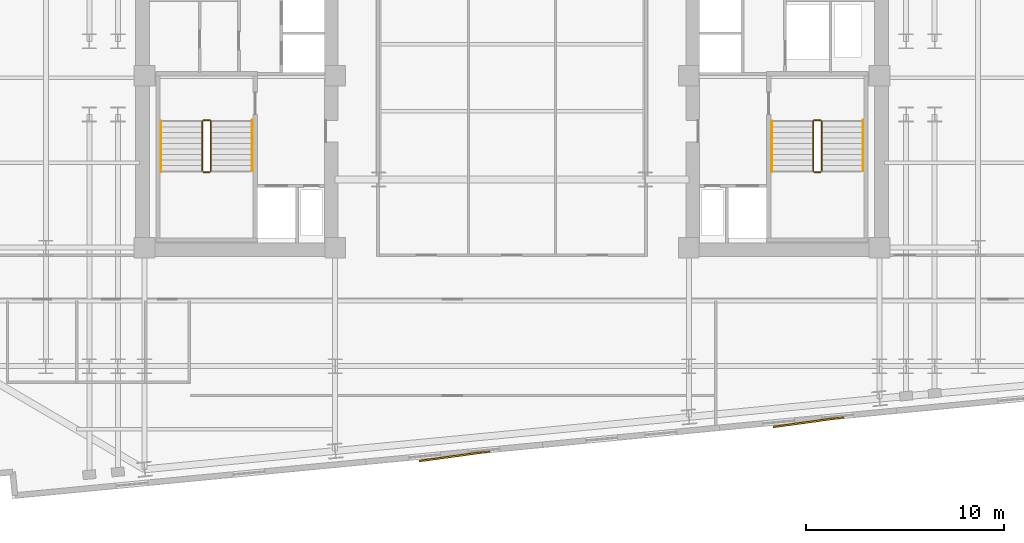
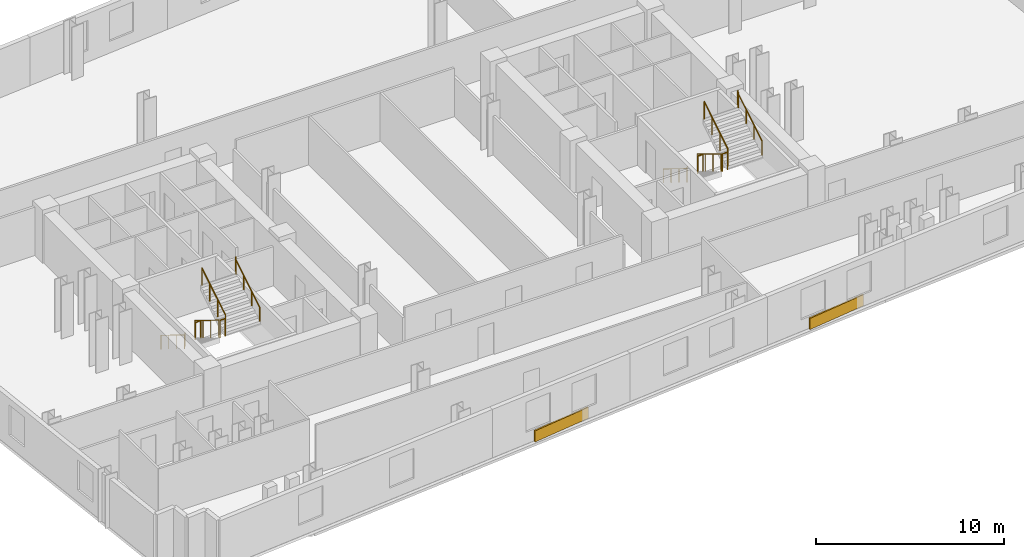
# One storey, part 9 of 10: 12 railings, 2 coverings.
"""IFC4 building model written with IfcOpenShell, lengths in metres."""

import ifcopenshell
import ifcopenshell.guid

model = None  # the IFC model being written
_history = None  # IfcOwnerHistory: only IFC2X3 demands one
_inside = {}  # id of a spatial element -> (the spatial element, [elements in it])
_under = {}  # id of a project, library or spatial element -> (it, [spatial elements below it])
_declared = {}  # id of a project -> (the project, [libraries it declares])
_typed = {}  # id of a type object -> (the type object, [elements of that type])
_made_of = {}  # id of a material, layer set ... -> (it, [elements and type objects made of it])


def new_model(schema):
    """Start an empty IFC model of exactly this schema.

    Asked for "IFC4X3", IfcOpenShell would pick the latest addendum, in which some entities
    have other attributes; the version numbers below select the first issue.
    IFC2X3 requires an IfcOwnerHistory on every rooted entity: one is made here for all.
    """
    global model, _history
    if schema == "IFC4X3":
        model = ifcopenshell.file(schema_version=(4, 3, 0, 0))
    else:
        model = ifcopenshell.file(schema=schema)
    _inside.clear()
    _under.clear()
    _declared.clear()
    _typed.clear()
    _made_of.clear()
    _history = None
    if model.schema == "IFC2X3":
        org = make("IfcOrganization", Name="unknown")
        user = make(
            "IfcPersonAndOrganization",
            ThePerson=make("IfcPerson", FamilyName="unknown"),
            TheOrganization=org,
        )
        app = make(
            "IfcApplication",
            ApplicationDeveloper=org,
            Version="unknown",
            ApplicationFullName="unknown",
            ApplicationIdentifier="unknown",
        )
        _history = make(
            "IfcOwnerHistory",
            OwningUser=user,
            OwningApplication=app,
            ChangeAction="ADDED",
            CreationDate=0,
        )
    return model


def make(cls, **values):
    """One entity of the class cls with the attributes given. An attribute that is None is left unset."""
    return model.create_entity(
        cls, **{name: value for name, value in values.items() if value is not None}
    )


def rooted(cls, **values):
    """An entity with a GlobalId (a new one), such as an element, a storey or a relation."""
    return make(cls, GlobalId=ifcopenshell.guid.new(), OwnerHistory=_history, **values)


def si_unit(unit_type, name, prefix=None):
    """IfcSIUnit, for example si_unit("LENGTHUNIT", "METRE", prefix="MILLI")."""
    return make("IfcSIUnit", UnitType=unit_type, Prefix=prefix, Name=name)


def assignment(units):
    """IfcUnitAssignment: the units of a project."""
    return None if units is None else make("IfcUnitAssignment", Units=units)


def point(xyz):
    """IfcCartesianPoint."""
    return None if xyz is None else make("IfcCartesianPoint", Coordinates=xyz)


def direction(xyz):
    """IfcDirection."""
    return None if xyz is None else make("IfcDirection", DirectionRatios=xyz)


def frame(location, z_axis=None, x_axis=None):
    """IfcAxis2Placement3D, a coordinate frame: its origin and axes. An axis left out is left unset."""
    return make(
        "IfcAxis2Placement3D",
        Location=point(location),
        Axis=direction(z_axis),
        RefDirection=direction(x_axis),
    )


def frame_2d(location, x_axis=None):
    """IfcAxis2Placement2D, a coordinate frame in the plane: its origin and x axis."""
    return make(
        "IfcAxis2Placement2D", Location=point(location), RefDirection=direction(x_axis)
    )


def origin():
    """The frame at (0, 0, 0) with its axes left unset."""
    return frame((0.0, 0.0, 0.0))


def origin_2d():
    """The frame at (0, 0) in the plane with its x axis left unset."""
    return frame_2d((0.0, 0.0))


def place(relative_to, where):
    """IfcLocalPlacement: puts the frame where relative to a parent placement (None: the world)."""
    return make(
        "IfcLocalPlacement", PlacementRelTo=relative_to, RelativePlacement=where
    )


def context(
    kind, dimensions, precision=None, world=None, true_north=None, identifier=None
):
    """IfcGeometricRepresentationContext, for example the 3D "Model" context."""
    return make(
        "IfcGeometricRepresentationContext",
        ContextIdentifier=identifier,
        ContextType=kind,
        CoordinateSpaceDimension=dimensions,
        Precision=precision,
        WorldCoordinateSystem=world,
        TrueNorth=true_north,
    )


def subcontext(parent, identifier, kind, view, scale=None):
    """IfcGeometricRepresentationSubContext, for example "Body" below "Model"."""
    return make(
        "IfcGeometricRepresentationSubContext",
        ContextIdentifier=identifier,
        ContextType=kind,
        ParentContext=parent,
        TargetScale=scale,
        TargetView=view,
    )


def project(units=None, contexts=None):
    """IfcProject with its units and contexts."""
    return rooted(
        "IfcProject",
        Name="project",
        RepresentationContexts=contexts,
        UnitsInContext=assignment(units),
    )


def spatial(cls, under=None, at=None, **own):
    """A site, building, storey or space (cls), placed at a placement, below another one or the project."""
    s = rooted(cls, ObjectPlacement=at, **own)
    if under is not None:
        _under.setdefault(under.id(), (under, []))[1].append(s)
    return s


def profile(cls, at=None, kind="AREA", **sizes):
    """A parametric profile (cls). Its sizes go by their IFC names, for example OverallWidth=200.0."""
    return make(cls, ProfileType=kind, Position=at, **sizes)


def rectangle(**sizes):
    """IfcRectangleProfileDef."""
    return profile("IfcRectangleProfileDef", **sizes)


def circle(**sizes):
    """IfcCircleProfileDef."""
    return profile("IfcCircleProfileDef", **sizes)


def extrude(swept, where, along, depth):
    """IfcExtrudedAreaSolid: the profile swept, set in the frame where, extruded along a direction by depth."""
    return make(
        "IfcExtrudedAreaSolid",
        SweptArea=swept,
        Position=where,
        ExtrudedDirection=direction(along),
        Depth=depth,
    )


def shape(context_of_items, identifier, shape_type, items):
    """IfcShapeRepresentation: the items that make up one representation, for example the "Body"."""
    return make(
        "IfcShapeRepresentation",
        ContextOfItems=context_of_items,
        RepresentationIdentifier=identifier,
        RepresentationType=shape_type,
        Items=items,
    )


def material(Name=None, Category=None):
    """IfcMaterial."""
    return make("IfcMaterial", Name=Name, Category=Category)


def layer(
    of_material, thickness, ventilated=None, Name=None, Category=None, Priority=None
):
    """IfcMaterialLayer: one layer of a wall or slab, of a material (None: an air gap)."""
    return make(
        "IfcMaterialLayer",
        Material=of_material,
        LayerThickness=thickness,
        IsVentilated=ventilated,
        Name=Name,
        Category=Category,
        Priority=Priority,
    )


def layer_set(layers, Name=None):
    """IfcMaterialLayerSet."""
    return make("IfcMaterialLayerSet", MaterialLayers=layers, LayerSetName=Name)


def made_of(thing, what):
    """Note that an element or type object is made of a material, layer set ...; save() writes the relation."""
    if what is not None:
        _made_of.setdefault(what.id(), (what, []))[1].append(thing)
    return thing


def type_object(cls, material=None, **own):
    """A type object (cls), such as IfcWallType, which elements share."""
    return made_of(rooted(cls, **own), material)


def element(
    cls,
    number,
    at=None,
    inside=None,
    cuts=None,
    type_object=None,
    material=None,
    context=None,
    identifier="Body",
    shape_type=None,
    held_by="IfcProductDefinitionShape",
    body=None,
    shapes=None,
    **own,
):
    """One element of the class cls, such as IfcWall. Its Tag is "e" and its number.

    at: its placement. inside: the storey or other place that contains it. cuts: it is an
    opening in that element (IfcRelVoidsElement). A single representation is given by context,
    identifier, shape_type and body (its items); several are given by shapes. held_by: the class
    of the entity that holds the representations. save() writes the other relations.
    """
    e = rooted(cls, Tag="e%d" % number, ObjectPlacement=at, **own)
    if body is not None:
        shapes = [shape(context, identifier, shape_type, body)]
    if shapes is not None:
        e.Representation = make(held_by, Representations=shapes)
    if inside is not None:
        _inside.setdefault(inside.id(), (inside, []))[1].append(e)
    if cuts is not None:
        rooted(
            "IfcRelVoidsElement", RelatingBuildingElement=cuts, RelatedOpeningElement=e
        )
    if type_object is not None:
        _typed.setdefault(type_object.id(), (type_object, []))[1].append(e)
    return made_of(e, material)


def aggregate(whole, parts):
    """IfcRelAggregates: a whole, such as a stair, and the parts it consists of."""
    return rooted("IfcRelAggregates", RelatingObject=whole, RelatedObjects=parts)


def save(model, path):
    """Write the relations noted so far, then the file.

    IfcRelAggregates (storeys below a building ...), IfcRelContainedInSpatialStructure (elements
    in a storey), IfcRelDefinesByType, IfcRelAssociatesMaterial and IfcRelDeclares: one each for
    every whole, place, type object, material and project.
    """
    for whole, parts in _under.values():
        aggregate(whole, parts)
    for where, things in _inside.values():
        rooted(
            "IfcRelContainedInSpatialStructure",
            RelatedElements=things,
            RelatingStructure=where,
        )
    for kind, things in _typed.values():
        rooted("IfcRelDefinesByType", RelatedObjects=things, RelatingType=kind)
    for what, things in _made_of.values():
        rooted("IfcRelAssociatesMaterial", RelatedObjects=things, RelatingMaterial=what)
    for by, libraries in _declared.values():
        rooted("IfcRelDeclares", RelatingContext=by, RelatedDefinitions=libraries)
    model.write(path)


model = new_model("IFC4")

# Units and contexts
model_context = context("Model", 3, precision=1e-05, world=origin(), true_north=direction((0.0, 1.0)))
body_context = subcontext(model_context, "Body", "Model", "MODEL_VIEW")
ifc_project = project(units=[si_unit("LENGTHUNIT", "METRE"), si_unit("AREAUNIT", "SQUARE_METRE"), si_unit("VOLUMEUNIT", "CUBIC_METRE"), si_unit("PLANEANGLEUNIT", "RADIAN"), si_unit("MASSUNIT", "GRAM", prefix="KILO")], contexts=[model_context])

# Site, building, storey
site_placement = place(None, origin())
site = spatial("IfcSite", under=ifc_project, at=site_placement, CompositionType="ELEMENT")
building_placement = place(site_placement, origin())
building = spatial("IfcBuilding", under=site, at=building_placement, Name="Velakula Bourse", CompositionType="ELEMENT")
storey_placement = place(building_placement, frame((0.0, 0.0, 108.699951171875)))
storey = spatial("IfcBuildingStorey", under=building, at=storey_placement, Name="L29", CompositionType="ELEMENT", Elevation=108.699951171875)

# Coverings
ifc_material_1 = material(Name="Buff kilned clay facing brick masonry", Category="masonry")
ifc_layer = layer(ifc_material_1, 0.074951171875, Name="Buff kilned clay facing brick masonry", Category="masonry")
ifc_layer_set = layer_set([ifc_layer], Name="Buff kilned clay facing brick masonry")
covering_type = type_object("IfcCoveringType", Name="COV-BRK-SPN-75", PredefinedType="CLADDING", material=ifc_layer_set)
for number, where, z_axis, x_axis, name in (
    (1, (-2.908447265625, -19.154052734375, 0.0), (0.0, 0.0, 1.0), (0.990629029058, 0.136580111242, 0.0), "L29 Folded Brick Facade Cladding Panel S-B2"),
    (2, (15.0087890625, -17.428955078125, 0.0), (0.0, 0.0, 1.0), (0.990629029058, 0.136580111242, 0.0), "L29 Folded Brick Facade Cladding Panel S-B4"),
):
    element("IfcCovering", number, at=place(storey_placement, frame(where, z_axis=z_axis, x_axis=x_axis)), inside=storey, type_object=covering_type, Name=name, PredefinedType="CLADDING", context=body_context, shape_type="SweptSolid", body=[
        extrude(rectangle(XDim=3.60009765625, YDim=0.090087890625, at=origin_2d()), origin(), (0.0, 0.0, 1.0), 0.719970703125),
    ])

# Railings
ifc_material_2 = material(Name="Brushed grade 316 stainless steel", Category="steel")
railing_type_1 = type_object("IfcRailingType", Name="RLG-STAIR-GUARD-1150", PredefinedType="BALUSTRADE", material=ifc_material_2)
railing_1_placement = place(storey_placement, frame((-15.672119140625, -2.199951171875, 0.172607421875)))
element("IfcRailing", 3, at=railing_1_placement, inside=storey, type_object=railing_type_1, Name="L29 ST-W1 stair guard 1", PredefinedType="BALUSTRADE", context=body_context, shape_type="SweptSolid", body=[
    extrude(circle(Radius=0.02490234375, at=origin_2d()), frame((0.0, 0.0, 1.125), z_axis=(0.0, -0.851400495292, 0.524516154772), x_axis=(1.0, 0.0, 0.0)), (0.0, 0.0, 1.0), 2.9599609375),
    extrude(circle(Radius=0.02099609375, at=origin_2d()), origin(), (0.0, 0.0, 1.0), 1.099853515625),
    extrude(circle(Radius=0.02099609375, at=origin_2d()), frame((0.0, -0.840087890625, 0.517578125)), (0.0, 0.0, 1.0), 1.099853515625),
    extrude(circle(Radius=0.02099609375, at=origin_2d()), frame((0.0, -1.679931640625, 1.034912109375)), (0.0, 0.0, 1.0), 1.099853515625),
    extrude(circle(Radius=0.02099609375, at=origin_2d()), frame((0.0, -2.52001953125, 1.552490234375)), (0.0, 0.0, 1.0), 1.099853515625),
])
railing_2_placement = place(storey_placement, frame((-15.6220703125, -4.77001953125, 1.72509765625)))
element("IfcRailing", 4, at=railing_2_placement, inside=storey, type_object=railing_type_1, Name="L29 ST-W1 stair guard 2", PredefinedType="BALUSTRADE", context=body_context, shape_type="SweptSolid", body=[
    extrude(circle(Radius=0.02490234375, at=origin_2d()), frame((0.0, 0.0, 1.125), z_axis=(1.0, 0.0, 0.0), x_axis=(0.0, 1.0, 0.0)), (0.0, 0.0, 1.0), 0.323974609375),
    extrude(circle(Radius=0.02099609375, at=origin_2d()), origin(), (0.0, 0.0, 1.0), 1.099853515625),
    extrude(circle(Radius=0.02099609375, at=origin_2d()), frame((0.323974609375, 0.0, 0.0)), (0.0, 0.0, 1.0), 1.099853515625),
])
railing_3_placement = place(storey_placement, frame((-15.248046875, -4.719970703125, 1.8974609375)))
element("IfcRailing", 5, at=railing_3_placement, inside=storey, type_object=railing_type_1, Name="L29 ST-W1 stair guard 3", PredefinedType="BALUSTRADE", context=body_context, shape_type="SweptSolid", body=[
    extrude(circle(Radius=0.02490234375, at=origin_2d()), frame((0.0, 0.0, 1.125), z_axis=(0.0, 0.851400495292, 0.524516154772), x_axis=(-1.0, 0.0, 0.0)), (0.0, 0.0, 1.0), 2.9599609375),
    extrude(circle(Radius=0.02099609375, at=origin_2d()), origin(), (0.0, 0.0, 1.0), 1.099853515625),
    extrude(circle(Radius=0.02099609375, at=origin_2d()), frame((0.0, 0.840087890625, 0.517578125)), (0.0, 0.0, 1.0), 1.099853515625),
    extrude(circle(Radius=0.02099609375, at=origin_2d()), frame((0.0, 1.679931640625, 1.034912109375)), (0.0, 0.0, 1.0), 1.099853515625),
    extrude(circle(Radius=0.02099609375, at=origin_2d()), frame((0.0, 2.52001953125, 1.552490234375)), (0.0, 0.0, 1.0), 1.099853515625),
])
railing_4_placement = place(storey_placement, frame((-15.6220703125, -2.14990234375, 0.0)))
element("IfcRailing", 6, at=railing_4_placement, inside=storey, type_object=railing_type_1, Name="L29 ST-W1 stair guard 4", PredefinedType="BALUSTRADE", context=body_context, shape_type="SweptSolid", body=[
    extrude(circle(Radius=0.02490234375, at=origin_2d()), frame((0.0, 0.0, 1.125), z_axis=(1.0, 0.0, 0.0), x_axis=(0.0, 1.0, 0.0)), (0.0, 0.0, 1.0), 0.323974609375),
    extrude(circle(Radius=0.02099609375, at=origin_2d()), origin(), (0.0, 0.0, 1.0), 1.099853515625),
    extrude(circle(Radius=0.02099609375, at=origin_2d()), frame((0.323974609375, 0.0, 0.0)), (0.0, 0.0, 1.0), 1.099853515625),
])
railing_5_placement = place(storey_placement, frame((15.248046875, -2.199951171875, 0.172607421875)))
element("IfcRailing", 7, at=railing_5_placement, inside=storey, type_object=railing_type_1, Name="L29 ST-E1 stair guard 1", PredefinedType="BALUSTRADE", context=body_context, shape_type="SweptSolid", body=[
    extrude(circle(Radius=0.02490234375, at=origin_2d()), frame((0.0, 0.0, 1.125), z_axis=(0.0, -0.851400495292, 0.524516154772), x_axis=(1.0, 0.0, 0.0)), (0.0, 0.0, 1.0), 2.9599609375),
    extrude(circle(Radius=0.02099609375, at=origin_2d()), origin(), (0.0, 0.0, 1.0), 1.099853515625),
    extrude(circle(Radius=0.02099609375, at=origin_2d()), frame((0.0, -0.840087890625, 0.517578125)), (0.0, 0.0, 1.0), 1.099853515625),
    extrude(circle(Radius=0.02099609375, at=origin_2d()), frame((0.0, -1.679931640625, 1.034912109375)), (0.0, 0.0, 1.0), 1.099853515625),
    extrude(circle(Radius=0.02099609375, at=origin_2d()), frame((0.0, -2.52001953125, 1.552490234375)), (0.0, 0.0, 1.0), 1.099853515625),
])
railing_6_placement = place(storey_placement, frame((15.298095703125, -4.77001953125, 1.72509765625)))
element("IfcRailing", 8, at=railing_6_placement, inside=storey, type_object=railing_type_1, Name="L29 ST-E1 stair guard 2", PredefinedType="BALUSTRADE", context=body_context, shape_type="SweptSolid", body=[
    extrude(circle(Radius=0.02490234375, at=origin_2d()), frame((0.0, 0.0, 1.125), z_axis=(1.0, 0.0, 0.0), x_axis=(0.0, 1.0, 0.0)), (0.0, 0.0, 1.0), 0.323974609375),
    extrude(circle(Radius=0.02099609375, at=origin_2d()), origin(), (0.0, 0.0, 1.0), 1.099853515625),
    extrude(circle(Radius=0.02099609375, at=origin_2d()), frame((0.323974609375, 0.0, 0.0)), (0.0, 0.0, 1.0), 1.099853515625),
])
railing_7_placement = place(storey_placement, frame((15.672119140625, -4.719970703125, 1.8974609375)))
element("IfcRailing", 9, at=railing_7_placement, inside=storey, type_object=railing_type_1, Name="L29 ST-E1 stair guard 3", PredefinedType="BALUSTRADE", context=body_context, shape_type="SweptSolid", body=[
    extrude(circle(Radius=0.02490234375, at=origin_2d()), frame((0.0, 0.0, 1.125), z_axis=(0.0, 0.851400495292, 0.524516154772), x_axis=(-1.0, 0.0, 0.0)), (0.0, 0.0, 1.0), 2.9599609375),
    extrude(circle(Radius=0.02099609375, at=origin_2d()), origin(), (0.0, 0.0, 1.0), 1.099853515625),
    extrude(circle(Radius=0.02099609375, at=origin_2d()), frame((0.0, 0.840087890625, 0.517578125)), (0.0, 0.0, 1.0), 1.099853515625),
    extrude(circle(Radius=0.02099609375, at=origin_2d()), frame((0.0, 1.679931640625, 1.034912109375)), (0.0, 0.0, 1.0), 1.099853515625),
    extrude(circle(Radius=0.02099609375, at=origin_2d()), frame((0.0, 2.52001953125, 1.552490234375)), (0.0, 0.0, 1.0), 1.099853515625),
])
railing_8_placement = place(storey_placement, frame((15.298095703125, -2.14990234375, 0.0)))
element("IfcRailing", 10, at=railing_8_placement, inside=storey, type_object=railing_type_1, Name="L29 ST-E1 stair guard 4", PredefinedType="BALUSTRADE", context=body_context, shape_type="SweptSolid", body=[
    extrude(circle(Radius=0.02490234375, at=origin_2d()), frame((0.0, 0.0, 1.125), z_axis=(1.0, 0.0, 0.0), x_axis=(0.0, 1.0, 0.0)), (0.0, 0.0, 1.0), 0.323974609375),
    extrude(circle(Radius=0.02099609375, at=origin_2d()), origin(), (0.0, 0.0, 1.0), 1.099853515625),
    extrude(circle(Radius=0.02099609375, at=origin_2d()), frame((0.323974609375, 0.0, 0.0)), (0.0, 0.0, 1.0), 1.099853515625),
])
railing_type_2 = type_object("IfcRailingType", Name="RLG-STAIR-HAND-920", PredefinedType="HANDRAIL", material=ifc_material_2)
railing_9_placement = place(storey_placement, frame((-17.77001953125, -2.199951171875, 0.172607421875)))
element("IfcRailing", 11, at=railing_9_placement, inside=storey, type_object=railing_type_2, Name="L29 ST-W1 stair handrail 1", PredefinedType="HANDRAIL", context=body_context, shape_type="SweptSolid", body=[
    extrude(circle(Radius=0.02099609375, at=origin_2d()), frame((0.0, 0.0, 0.89892578125), z_axis=(0.0, -0.851400495292, 0.524516154772), x_axis=(1.0, 0.0, 0.0)), (0.0, 0.0, 1.0), 2.9599609375),
    extrude(circle(Radius=0.02099609375, at=origin_2d()), frame((0.0, -2.52001953125, 2.451416015625), z_axis=(0.0, -0.226269970362, 0.974064628509), x_axis=(1.0, 0.0, 0.0)), (0.0, 0.0, 1.0), 0.177001953125),
    extrude(circle(Radius=0.02099609375, at=origin_2d()), frame((0.0, -2.56005859375, 2.623779296875), z_axis=(0.0, -1.0, 0.0), x_axis=(1.0, 0.0, 0.0)), (0.0, 0.0, 1.0), 0.0048828125),
    extrude(circle(Radius=0.02099609375, at=origin_2d()), origin(), (0.0, 0.0, 1.0), 0.8779296875),
    extrude(circle(Radius=0.02099609375, at=origin_2d()), frame((0.0, -0.840087890625, 0.517578125)), (0.0, 0.0, 1.0), 0.8779296875),
    extrude(circle(Radius=0.02099609375, at=origin_2d()), frame((0.0, -1.679931640625, 1.034912109375)), (0.0, 0.0, 1.0), 0.8779296875),
    extrude(circle(Radius=0.02099609375, at=origin_2d()), frame((0.0, -2.52001953125, 1.552490234375)), (0.0, 0.0, 1.0), 0.8779296875),
    extrude(circle(Radius=0.02099609375, at=origin_2d()), frame((0.0, -2.56005859375, 1.724853515625)), (0.0, 0.0, 1.0), 0.8779296875),
    extrude(circle(Radius=0.02099609375, at=origin_2d()), frame((0.0, -2.56494140625, 1.724853515625)), (0.0, 0.0, 1.0), 0.8779296875),
])
railing_10_placement = place(storey_placement, frame((-13.14990234375, -4.719970703125, 1.8974609375)))
element("IfcRailing", 12, at=railing_10_placement, inside=storey, type_object=railing_type_2, Name="L29 ST-W1 stair handrail 2", PredefinedType="HANDRAIL", context=body_context, shape_type="SweptSolid", body=[
    extrude(circle(Radius=0.02099609375, at=origin_2d()), frame((0.0, 0.0, 0.89892578125), z_axis=(0.0, 0.851400495292, 0.524516154772), x_axis=(-1.0, 0.0, 0.0)), (0.0, 0.0, 1.0), 2.9599609375),
    extrude(circle(Radius=0.02099609375, at=origin_2d()), frame((0.0, 2.52001953125, 2.451416015625), z_axis=(0.0, 0.22596628056, 0.974135124123), x_axis=(-1.0, 0.0, 0.0)), (0.0, 0.0, 1.0), 0.17724609375),
    extrude(circle(Radius=0.02099609375, at=origin_2d()), frame((0.0, 2.56005859375, 2.6240234375), z_axis=(0.0, 1.0, 0.0), x_axis=(-1.0, 0.0, 0.0)), (0.0, 0.0, 1.0), 0.0048828125),
    extrude(circle(Radius=0.02099609375, at=origin_2d()), origin(), (0.0, 0.0, 1.0), 0.8779296875),
    extrude(circle(Radius=0.02099609375, at=origin_2d()), frame((0.0, 0.840087890625, 0.517578125)), (0.0, 0.0, 1.0), 0.8779296875),
    extrude(circle(Radius=0.02099609375, at=origin_2d()), frame((0.0, 1.679931640625, 1.034912109375)), (0.0, 0.0, 1.0), 0.8779296875),
    extrude(circle(Radius=0.02099609375, at=origin_2d()), frame((0.0, 2.52001953125, 1.552490234375)), (0.0, 0.0, 1.0), 0.8779296875),
    extrude(circle(Radius=0.02099609375, at=origin_2d()), frame((0.0, 2.56005859375, 1.72509765625)), (0.0, 0.0, 1.0), 0.8779296875),
    extrude(circle(Radius=0.02099609375, at=origin_2d()), frame((0.0, 2.56494140625, 1.72509765625)), (0.0, 0.0, 1.0), 0.8779296875),
])
railing_11_placement = place(storey_placement, frame((13.14990234375, -2.199951171875, 0.172607421875)))
element("IfcRailing", 13, at=railing_11_placement, inside=storey, type_object=railing_type_2, Name="L29 ST-E1 stair handrail 1", PredefinedType="HANDRAIL", context=body_context, shape_type="SweptSolid", body=[
    extrude(circle(Radius=0.02099609375, at=origin_2d()), frame((0.0, 0.0, 0.89892578125), z_axis=(0.0, -0.851400495292, 0.524516154772), x_axis=(1.0, 0.0, 0.0)), (0.0, 0.0, 1.0), 2.9599609375),
    extrude(circle(Radius=0.02099609375, at=origin_2d()), frame((0.0, -2.52001953125, 2.451416015625), z_axis=(0.0, -0.226269970362, 0.974064628509), x_axis=(1.0, 0.0, 0.0)), (0.0, 0.0, 1.0), 0.177001953125),
    extrude(circle(Radius=0.02099609375, at=origin_2d()), frame((0.0, -2.56005859375, 2.623779296875), z_axis=(0.0, -1.0, 0.0), x_axis=(1.0, 0.0, 0.0)), (0.0, 0.0, 1.0), 0.0048828125),
    extrude(circle(Radius=0.02099609375, at=origin_2d()), origin(), (0.0, 0.0, 1.0), 0.8779296875),
    extrude(circle(Radius=0.02099609375, at=origin_2d()), frame((0.0, -0.840087890625, 0.517578125)), (0.0, 0.0, 1.0), 0.8779296875),
    extrude(circle(Radius=0.02099609375, at=origin_2d()), frame((0.0, -1.679931640625, 1.034912109375)), (0.0, 0.0, 1.0), 0.8779296875),
    extrude(circle(Radius=0.02099609375, at=origin_2d()), frame((0.0, -2.52001953125, 1.552490234375)), (0.0, 0.0, 1.0), 0.8779296875),
    extrude(circle(Radius=0.02099609375, at=origin_2d()), frame((0.0, -2.56005859375, 1.724853515625)), (0.0, 0.0, 1.0), 0.8779296875),
    extrude(circle(Radius=0.02099609375, at=origin_2d()), frame((0.0, -2.56494140625, 1.724853515625)), (0.0, 0.0, 1.0), 0.8779296875),
])
railing_12_placement = place(storey_placement, frame((17.77001953125, -4.719970703125, 1.8974609375)))
element("IfcRailing", 14, at=railing_12_placement, inside=storey, type_object=railing_type_2, Name="L29 ST-E1 stair handrail 2", PredefinedType="HANDRAIL", context=body_context, shape_type="SweptSolid", body=[
    extrude(circle(Radius=0.02099609375, at=origin_2d()), frame((0.0, 0.0, 0.89892578125), z_axis=(0.0, 0.851400495292, 0.524516154772), x_axis=(-1.0, 0.0, 0.0)), (0.0, 0.0, 1.0), 2.9599609375),
    extrude(circle(Radius=0.02099609375, at=origin_2d()), frame((0.0, 2.52001953125, 2.451416015625), z_axis=(0.0, 0.22596628056, 0.974135124123), x_axis=(-1.0, 0.0, 0.0)), (0.0, 0.0, 1.0), 0.17724609375),
    extrude(circle(Radius=0.02099609375, at=origin_2d()), frame((0.0, 2.56005859375, 2.6240234375), z_axis=(0.0, 1.0, 0.0), x_axis=(-1.0, 0.0, 0.0)), (0.0, 0.0, 1.0), 0.0048828125),
    extrude(circle(Radius=0.02099609375, at=origin_2d()), origin(), (0.0, 0.0, 1.0), 0.8779296875),
    extrude(circle(Radius=0.02099609375, at=origin_2d()), frame((0.0, 0.840087890625, 0.517578125)), (0.0, 0.0, 1.0), 0.8779296875),
    extrude(circle(Radius=0.02099609375, at=origin_2d()), frame((0.0, 1.679931640625, 1.034912109375)), (0.0, 0.0, 1.0), 0.8779296875),
    extrude(circle(Radius=0.02099609375, at=origin_2d()), frame((0.0, 2.52001953125, 1.552490234375)), (0.0, 0.0, 1.0), 0.8779296875),
    extrude(circle(Radius=0.02099609375, at=origin_2d()), frame((0.0, 2.56005859375, 1.72509765625)), (0.0, 0.0, 1.0), 0.8779296875),
    extrude(circle(Radius=0.02099609375, at=origin_2d()), frame((0.0, 2.56494140625, 1.72509765625)), (0.0, 0.0, 1.0), 0.8779296875),
])

save(model, "model.ifc")
